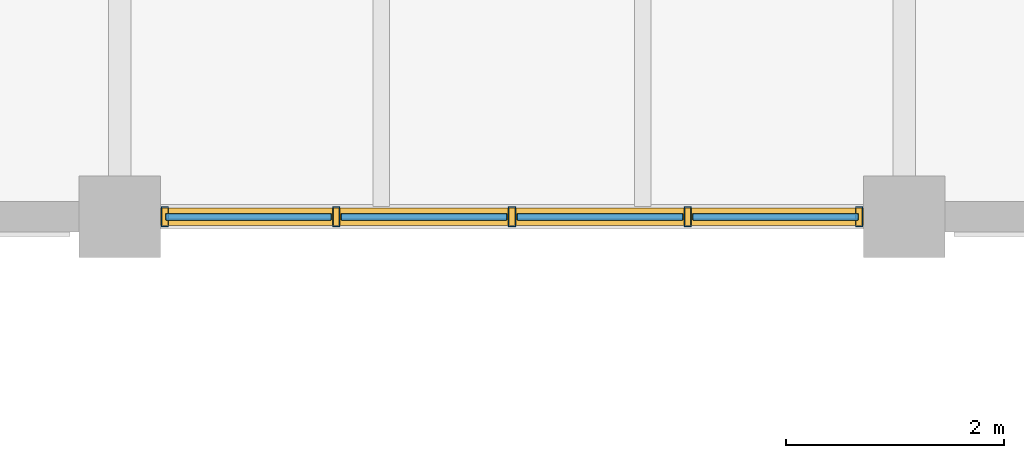
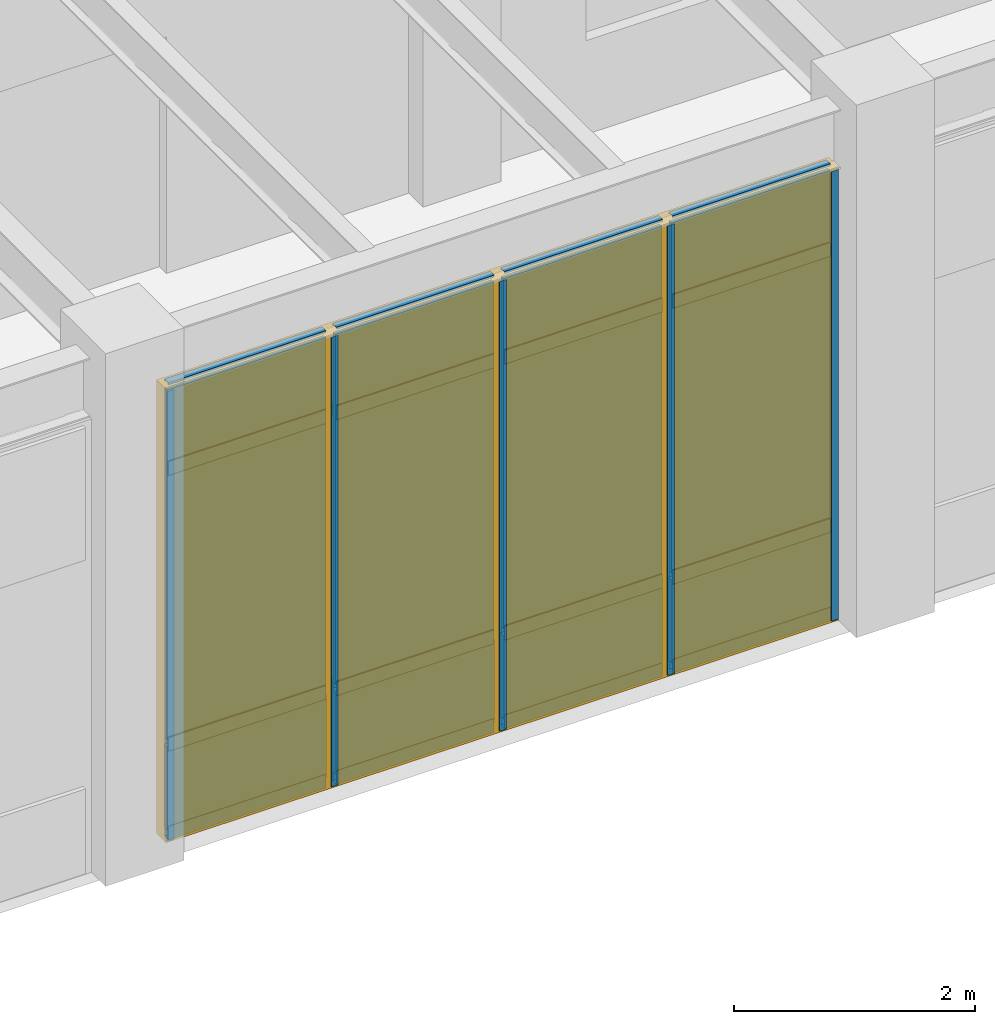
# One storey, part 73 of 97: 21 members, 8 plates, 1 curtain wall.
"""IFC4 building model written with IfcOpenShell, lengths in metres."""

from ifc_helpers import new_model, si_unit, direction, frame, origin, origin_2d, place, context, subcontext, project, spatial, rectangle, hollow_rectangle, extrude, material, layer, layer_set, material_profile, profile_set, type_object, element, aggregate, save


model = new_model("IFC4")

# Units and contexts
model_context = context("Model", 3, precision=1e-05, world=origin(), true_north=direction((0.0, 1.0)))
body_context = subcontext(model_context, "Body", "Model", "MODEL_VIEW")
ifc_project = project(units=[si_unit("LENGTHUNIT", "METRE"), si_unit("AREAUNIT", "SQUARE_METRE"), si_unit("VOLUMEUNIT", "CUBIC_METRE"), si_unit("PLANEANGLEUNIT", "RADIAN"), si_unit("MASSUNIT", "GRAM", prefix="KILO")], contexts=[model_context])

# Member
ifc_material_1 = material(Name="Anodized Aluminium 6063-T6", Category="aluminium")
ifc_material_profile_1 = material_profile(ifc_material_1, hollow_rectangle(XDim=0.06494140625, YDim=0.179931640625, WallThickness=0.00390625, at=origin_2d()), Name="ALU 65x180x4")
ifc_profile_set_1 = profile_set([ifc_material_profile_1], Name="Anodized Aluminium 6063-T6")
member_type_1 = type_object("IfcMemberType", Name="CWM-65X150", PredefinedType="MULLION", material=ifc_profile_set_1)
site_placement = place(None, origin())
building_placement = place(site_placement, origin())
storey_placement = place(building_placement, origin())
member_1_placement = place(storey_placement, frame((85.985107421875, 108.0, 0.02001953125), z_axis=(0.0, 0.0, 1.0), x_axis=(1.0, 0.0, 0.0)))
member_1 = element("IfcMember", 1, at=member_1_placement, type_object=member_type_1, Name="Curtain wall mullion CW-L01-11-15-S-00", PredefinedType="MULLION", context=body_context, shape_type="SweptSolid", body=[
    extrude(hollow_rectangle(XDim=0.06494140625, YDim=0.179931640625, WallThickness=0.00390625, at=origin_2d()), origin(), (0.0, 0.0, 1.0), 4.557861328125),
])

member_2_placement = place(storey_placement, frame((84.41259765625, 108.0, 0.02001953125), z_axis=(0.0, 0.0, 1.0), x_axis=(1.0, 0.0, 0.0)))
member_2 = element("IfcMember", 2, at=member_2_placement, type_object=member_type_1, Name="Curtain wall mullion CW-L01-11-15-S-01", PredefinedType="MULLION", context=body_context, shape_type="SweptSolid", body=[
    extrude(hollow_rectangle(XDim=0.06494140625, YDim=0.179931640625, WallThickness=0.00390625, at=origin_2d()), origin(), (0.0, 0.0, 1.0), 4.557861328125),
])

member_3_placement = place(storey_placement, frame((82.800048828125, 108.0, 0.02001953125), z_axis=(0.0, 0.0, 1.0), x_axis=(1.0, 0.0, 0.0)))
member_3 = element("IfcMember", 3, at=member_3_placement, type_object=member_type_1, Name="Curtain wall mullion CW-L01-11-15-S-02", PredefinedType="MULLION", context=body_context, shape_type="SweptSolid", body=[
    extrude(hollow_rectangle(XDim=0.06494140625, YDim=0.179931640625, WallThickness=0.00390625, at=origin_2d()), origin(), (0.0, 0.0, 1.0), 4.557861328125),
])

member_4_placement = place(storey_placement, frame((81.1875, 108.0, 0.02001953125), z_axis=(0.0, 0.0, 1.0), x_axis=(1.0, 0.0, 0.0)))
member_4 = element("IfcMember", 4, at=member_4_placement, type_object=member_type_1, Name="Curtain wall mullion CW-L01-11-15-S-03", PredefinedType="MULLION", context=body_context, shape_type="SweptSolid", body=[
    extrude(hollow_rectangle(XDim=0.06494140625, YDim=0.179931640625, WallThickness=0.00390625, at=origin_2d()), origin(), (0.0, 0.0, 1.0), 4.557861328125),
])

member_5_placement = place(storey_placement, frame((79.614990234375, 108.0, 0.02001953125), z_axis=(0.0, 0.0, 1.0), x_axis=(1.0, 0.0, 0.0)))
member_5 = element("IfcMember", 5, at=member_5_placement, type_object=member_type_1, Name="Curtain wall mullion CW-L01-11-15-S-04", PredefinedType="MULLION", context=body_context, shape_type="SweptSolid", body=[
    extrude(hollow_rectangle(XDim=0.06494140625, YDim=0.179931640625, WallThickness=0.00390625, at=origin_2d()), origin(), (0.0, 0.0, 1.0), 4.557861328125),
])

ifc_material_profile_2 = material_profile(ifc_material_1, hollow_rectangle(XDim=0.06494140625, YDim=0.139892578125, WallThickness=0.00390625, at=origin_2d()), Name="ALU 65x140x4")
ifc_profile_set_2 = profile_set([ifc_material_profile_2], Name="Anodized Aluminium 6063-T6")
member_type_2 = type_object("IfcMemberType", Name="CWT-65X120", PredefinedType="USERDEFINED", material=ifc_profile_set_2)
member_6_placement = place(storey_placement, frame((85.97509765625, 108.0, 0.050048828125), z_axis=(-1.0, 0.0, 0.0), x_axis=(0.0, -1.0, 0.0)))
member_6 = element("IfcMember", 6, at=member_6_placement, type_object=member_type_2, Name="Curtain wall transom CW-L01-11-15-S-1.01", ObjectType="TRANSOM", PredefinedType="USERDEFINED", context=body_context, shape_type="SweptSolid", body=[
    extrude(hollow_rectangle(XDim=0.06494140625, YDim=0.139892578125, WallThickness=0.00390625, at=origin_2d()), origin(), (0.0, 0.0, 1.0), 1.5126953125),
])

member_7_placement = place(storey_placement, frame((84.362548828125, 108.0, 0.050048828125), z_axis=(-1.0, 0.0, 0.0), x_axis=(0.0, -1.0, 0.0)))
member_7 = element("IfcMember", 7, at=member_7_placement, type_object=member_type_2, Name="Curtain wall transom CW-L01-11-15-S-1.02", ObjectType="TRANSOM", PredefinedType="USERDEFINED", context=body_context, shape_type="SweptSolid", body=[
    extrude(hollow_rectangle(XDim=0.06494140625, YDim=0.139892578125, WallThickness=0.00390625, at=origin_2d()), origin(), (0.0, 0.0, 1.0), 1.512451171875),
])

member_8_placement = place(storey_placement, frame((82.75, 108.0, 0.050048828125), z_axis=(-1.0, 0.0, 0.0), x_axis=(0.0, -1.0, 0.0)))
member_8 = element("IfcMember", 8, at=member_8_placement, type_object=member_type_2, Name="Curtain wall transom CW-L01-11-15-S-1.03", ObjectType="TRANSOM", PredefinedType="USERDEFINED", context=body_context, shape_type="SweptSolid", body=[
    extrude(hollow_rectangle(XDim=0.06494140625, YDim=0.139892578125, WallThickness=0.00390625, at=origin_2d()), origin(), (0.0, 0.0, 1.0), 1.512451171875),
])

member_9_placement = place(storey_placement, frame((81.137451171875, 108.0, 0.050048828125), z_axis=(-1.0, 0.0, 0.0), x_axis=(0.0, -1.0, 0.0)))
member_9 = element("IfcMember", 9, at=member_9_placement, type_object=member_type_2, Name="Curtain wall transom CW-L01-11-15-S-1.04", ObjectType="TRANSOM", PredefinedType="USERDEFINED", context=body_context, shape_type="SweptSolid", body=[
    extrude(hollow_rectangle(XDim=0.06494140625, YDim=0.139892578125, WallThickness=0.00390625, at=origin_2d()), origin(), (0.0, 0.0, 1.0), 1.512451171875),
])

member_10_placement = place(storey_placement, frame((85.97509765625, 108.0, 0.949951171875), z_axis=(-1.0, 0.0, 0.0), x_axis=(0.0, -1.0, 0.0)))
member_10 = element("IfcMember", 10, at=member_10_placement, type_object=member_type_2, Name="Curtain wall transom CW-L01-11-15-S-2.01", ObjectType="TRANSOM", PredefinedType="USERDEFINED", context=body_context, shape_type="SweptSolid", body=[
    extrude(hollow_rectangle(XDim=0.06494140625, YDim=0.139892578125, WallThickness=0.00390625, at=origin_2d()), origin(), (0.0, 0.0, 1.0), 1.5126953125),
])

member_11_placement = place(storey_placement, frame((84.362548828125, 108.0, 0.949951171875), z_axis=(-1.0, 0.0, 0.0), x_axis=(0.0, -1.0, 0.0)))
member_11 = element("IfcMember", 11, at=member_11_placement, type_object=member_type_2, Name="Curtain wall transom CW-L01-11-15-S-2.02", ObjectType="TRANSOM", PredefinedType="USERDEFINED", context=body_context, shape_type="SweptSolid", body=[
    extrude(hollow_rectangle(XDim=0.06494140625, YDim=0.139892578125, WallThickness=0.00390625, at=origin_2d()), origin(), (0.0, 0.0, 1.0), 1.512451171875),
])

member_12_placement = place(storey_placement, frame((82.75, 108.0, 0.949951171875), z_axis=(-1.0, 0.0, 0.0), x_axis=(0.0, -1.0, 0.0)))
member_12 = element("IfcMember", 12, at=member_12_placement, type_object=member_type_2, Name="Curtain wall transom CW-L01-11-15-S-2.03", ObjectType="TRANSOM", PredefinedType="USERDEFINED", context=body_context, shape_type="SweptSolid", body=[
    extrude(hollow_rectangle(XDim=0.06494140625, YDim=0.139892578125, WallThickness=0.00390625, at=origin_2d()), origin(), (0.0, 0.0, 1.0), 1.512451171875),
])

member_13_placement = place(storey_placement, frame((81.137451171875, 108.0, 0.949951171875), z_axis=(-1.0, 0.0, 0.0), x_axis=(0.0, -1.0, 0.0)))
member_13 = element("IfcMember", 13, at=member_13_placement, type_object=member_type_2, Name="Curtain wall transom CW-L01-11-15-S-2.04", ObjectType="TRANSOM", PredefinedType="USERDEFINED", context=body_context, shape_type="SweptSolid", body=[
    extrude(hollow_rectangle(XDim=0.06494140625, YDim=0.139892578125, WallThickness=0.00390625, at=origin_2d()), origin(), (0.0, 0.0, 1.0), 1.512451171875),
])

member_14_placement = place(storey_placement, frame((85.97509765625, 108.0, 3.748046875), z_axis=(-1.0, 0.0, 0.0), x_axis=(0.0, -1.0, 0.0)))
member_14 = element("IfcMember", 14, at=member_14_placement, type_object=member_type_2, Name="Curtain wall transom CW-L01-11-15-S-3.01", ObjectType="TRANSOM", PredefinedType="USERDEFINED", context=body_context, shape_type="SweptSolid", body=[
    extrude(hollow_rectangle(XDim=0.06494140625, YDim=0.139892578125, WallThickness=0.00390625, at=origin_2d()), origin(), (0.0, 0.0, 1.0), 1.5126953125),
])

member_15_placement = place(storey_placement, frame((84.362548828125, 108.0, 3.748046875), z_axis=(-1.0, 0.0, 0.0), x_axis=(0.0, -1.0, 0.0)))
member_15 = element("IfcMember", 15, at=member_15_placement, type_object=member_type_2, Name="Curtain wall transom CW-L01-11-15-S-3.02", ObjectType="TRANSOM", PredefinedType="USERDEFINED", context=body_context, shape_type="SweptSolid", body=[
    extrude(hollow_rectangle(XDim=0.06494140625, YDim=0.139892578125, WallThickness=0.00390625, at=origin_2d()), origin(), (0.0, 0.0, 1.0), 1.512451171875),
])

member_16_placement = place(storey_placement, frame((82.75, 108.0, 3.748046875), z_axis=(-1.0, 0.0, 0.0), x_axis=(0.0, -1.0, 0.0)))
member_16 = element("IfcMember", 16, at=member_16_placement, type_object=member_type_2, Name="Curtain wall transom CW-L01-11-15-S-3.03", ObjectType="TRANSOM", PredefinedType="USERDEFINED", context=body_context, shape_type="SweptSolid", body=[
    extrude(hollow_rectangle(XDim=0.06494140625, YDim=0.139892578125, WallThickness=0.00390625, at=origin_2d()), origin(), (0.0, 0.0, 1.0), 1.512451171875),
])

member_17_placement = place(storey_placement, frame((81.137451171875, 108.0, 3.748046875), z_axis=(-1.0, 0.0, 0.0), x_axis=(0.0, -1.0, 0.0)))
member_17 = element("IfcMember", 17, at=member_17_placement, type_object=member_type_2, Name="Curtain wall transom CW-L01-11-15-S-3.04", ObjectType="TRANSOM", PredefinedType="USERDEFINED", context=body_context, shape_type="SweptSolid", body=[
    extrude(hollow_rectangle(XDim=0.06494140625, YDim=0.139892578125, WallThickness=0.00390625, at=origin_2d()), origin(), (0.0, 0.0, 1.0), 1.512451171875),
])

member_18_placement = place(storey_placement, frame((85.97509765625, 108.0, 4.548095703125), z_axis=(-1.0, 0.0, 0.0), x_axis=(0.0, -1.0, 0.0)))
member_18 = element("IfcMember", 18, at=member_18_placement, type_object=member_type_2, Name="Curtain wall transom CW-L01-11-15-S-4.01", ObjectType="TRANSOM", PredefinedType="USERDEFINED", context=body_context, shape_type="SweptSolid", body=[
    extrude(hollow_rectangle(XDim=0.06494140625, YDim=0.139892578125, WallThickness=0.00390625, at=origin_2d()), origin(), (0.0, 0.0, 1.0), 1.5126953125),
])

member_19_placement = place(storey_placement, frame((84.362548828125, 108.0, 4.548095703125), z_axis=(-1.0, 0.0, 0.0), x_axis=(0.0, -1.0, 0.0)))
member_19 = element("IfcMember", 19, at=member_19_placement, type_object=member_type_2, Name="Curtain wall transom CW-L01-11-15-S-4.02", ObjectType="TRANSOM", PredefinedType="USERDEFINED", context=body_context, shape_type="SweptSolid", body=[
    extrude(hollow_rectangle(XDim=0.06494140625, YDim=0.139892578125, WallThickness=0.00390625, at=origin_2d()), origin(), (0.0, 0.0, 1.0), 1.512451171875),
])

member_20_placement = place(storey_placement, frame((82.75, 108.0, 4.548095703125), z_axis=(-1.0, 0.0, 0.0), x_axis=(0.0, -1.0, 0.0)))
member_20 = element("IfcMember", 20, at=member_20_placement, type_object=member_type_2, Name="Curtain wall transom CW-L01-11-15-S-4.03", ObjectType="TRANSOM", PredefinedType="USERDEFINED", context=body_context, shape_type="SweptSolid", body=[
    extrude(hollow_rectangle(XDim=0.06494140625, YDim=0.139892578125, WallThickness=0.00390625, at=origin_2d()), origin(), (0.0, 0.0, 1.0), 1.512451171875),
])

member_21_placement = place(storey_placement, frame((81.137451171875, 108.0, 4.548095703125), z_axis=(-1.0, 0.0, 0.0), x_axis=(0.0, -1.0, 0.0)))
member_21 = element("IfcMember", 21, at=member_21_placement, type_object=member_type_2, Name="Curtain wall transom CW-L01-11-15-S-4.04", ObjectType="TRANSOM", PredefinedType="USERDEFINED", context=body_context, shape_type="SweptSolid", body=[
    extrude(hollow_rectangle(XDim=0.06494140625, YDim=0.139892578125, WallThickness=0.00390625, at=origin_2d()), origin(), (0.0, 0.0, 1.0), 1.512451171875),
])

# Plate
ifc_material_2 = material(Name="Double Low-E Insulated Glazing Unit", Category="glass")
ifc_layer_1 = layer(ifc_material_2, 0.0380859375)
ifc_layer_set_1 = layer_set([ifc_layer_1], Name="Double Low-E Insulated Glazing Unit")
plate_type_1 = type_object("IfcPlateType", Name="CWP-IGU-38", PredefinedType="CURTAIN_PANEL", material=ifc_layer_set_1)
plate_1_placement = place(storey_placement, frame((85.21875, 108.0, 0.98974609375), z_axis=(0.0, 0.0, 1.0), x_axis=(-1.0, 0.0, 0.0)))
plate_1 = element("IfcPlate", 22, at=plate_1_placement, type_object=plate_type_1, Name="Curtain wall vision glazing CW-L01-11-15-S-01", PredefinedType="CURTAIN_PANEL", context=body_context, shape_type="SweptSolid", body=[
    extrude(rectangle(XDim=1.5224609375, YDim=0.0400390625, at=origin_2d()), origin(), (0.0, 0.0, 1.0), 3.548095703125),
])

plate_2_placement = place(storey_placement, frame((83.606201171875, 108.0, 0.98974609375), z_axis=(0.0, 0.0, 1.0), x_axis=(-1.0, 0.0, 0.0)))
plate_2 = element("IfcPlate", 23, at=plate_2_placement, type_object=plate_type_1, Name="Curtain wall vision glazing CW-L01-11-15-S-02", PredefinedType="CURTAIN_PANEL", context=body_context, shape_type="SweptSolid", body=[
    extrude(rectangle(XDim=1.5224609375, YDim=0.0400390625, at=origin_2d()), origin(), (0.0, 0.0, 1.0), 3.548095703125),
])

plate_3_placement = place(storey_placement, frame((81.993896484375, 108.0, 0.98974609375), z_axis=(0.0, 0.0, 1.0), x_axis=(-1.0, 0.0, 0.0)))
plate_3 = element("IfcPlate", 24, at=plate_3_placement, type_object=plate_type_1, Name="Curtain wall vision glazing CW-L01-11-15-S-03", PredefinedType="CURTAIN_PANEL", context=body_context, shape_type="SweptSolid", body=[
    extrude(rectangle(XDim=1.5224609375, YDim=0.0400390625, at=origin_2d()), origin(), (0.0, 0.0, 1.0), 3.548095703125),
])

plate_4_placement = place(storey_placement, frame((80.38134765625, 108.0, 0.98974609375), z_axis=(0.0, 0.0, 1.0), x_axis=(-1.0, 0.0, 0.0)))
plate_4 = element("IfcPlate", 25, at=plate_4_placement, type_object=plate_type_1, Name="Curtain wall vision glazing CW-L01-11-15-S-04", PredefinedType="CURTAIN_PANEL", context=body_context, shape_type="SweptSolid", body=[
    extrude(rectangle(XDim=1.5224609375, YDim=0.0400390625, at=origin_2d()), origin(), (0.0, 0.0, 1.0), 3.548095703125),
])

ifc_material_3 = material(Name="Insulated Bronze Aluminium Spandrel", Category="aluminium")
ifc_layer_2 = layer(ifc_material_3, 0.06005859375)
ifc_layer_set_2 = layer_set([ifc_layer_2], Name="Insulated Bronze Aluminium Spandrel")
plate_type_2 = type_object("IfcPlateType", Name="CWP-SPN-60", PredefinedType="CURTAIN_PANEL", material=ifc_layer_set_2)
plate_5_placement = place(storey_placement, frame((85.21875, 108.0, 0.080078125), z_axis=(0.0, 0.0, 1.0), x_axis=(-1.0, 0.0, 0.0)))
plate_5 = element("IfcPlate", 26, at=plate_5_placement, type_object=plate_type_2, Name="Curtain wall spandrel panel CW-L01-11-15-S-01", PredefinedType="CURTAIN_PANEL", context=body_context, shape_type="SweptSolid", body=[
    extrude(rectangle(XDim=1.5224609375, YDim=0.06005859375, at=origin_2d()), origin(), (0.0, 0.0, 1.0), 0.840087890625),
])

plate_6_placement = place(storey_placement, frame((83.606201171875, 108.0, 0.080078125), z_axis=(0.0, 0.0, 1.0), x_axis=(-1.0, 0.0, 0.0)))
plate_6 = element("IfcPlate", 27, at=plate_6_placement, type_object=plate_type_2, Name="Curtain wall spandrel panel CW-L01-11-15-S-02", PredefinedType="CURTAIN_PANEL", context=body_context, shape_type="SweptSolid", body=[
    extrude(rectangle(XDim=1.5224609375, YDim=0.06005859375, at=origin_2d()), origin(), (0.0, 0.0, 1.0), 0.840087890625),
])

plate_7_placement = place(storey_placement, frame((81.993896484375, 108.0, 0.080078125), z_axis=(0.0, 0.0, 1.0), x_axis=(-1.0, 0.0, 0.0)))
plate_7 = element("IfcPlate", 28, at=plate_7_placement, type_object=plate_type_2, Name="Curtain wall spandrel panel CW-L01-11-15-S-03", PredefinedType="CURTAIN_PANEL", context=body_context, shape_type="SweptSolid", body=[
    extrude(rectangle(XDim=1.5224609375, YDim=0.06005859375, at=origin_2d()), origin(), (0.0, 0.0, 1.0), 0.840087890625),
])

plate_8_placement = place(storey_placement, frame((80.38134765625, 108.0, 0.080078125), z_axis=(0.0, 0.0, 1.0), x_axis=(-1.0, 0.0, 0.0)))
plate_8 = element("IfcPlate", 29, at=plate_8_placement, type_object=plate_type_2, Name="Curtain wall spandrel panel CW-L01-11-15-S-04", PredefinedType="CURTAIN_PANEL", context=body_context, shape_type="SweptSolid", body=[
    extrude(rectangle(XDim=1.5224609375, YDim=0.06005859375, at=origin_2d()), origin(), (0.0, 0.0, 1.0), 0.840087890625),
])

# Site, building, storey
site = spatial("IfcSite", under=ifc_project, at=site_placement, CompositionType="ELEMENT")
building = spatial("IfcBuilding", under=site, at=building_placement, Name="Sillqori Civic Hall", CompositionType="ELEMENT")
storey = spatial("IfcBuildingStorey", under=building, at=storey_placement, Name="L01", CompositionType="ELEMENT", Elevation=0.0)

# Curtain wall
ifc_material_4 = material(Name="Anodized Aluminium Curtain Wall System", Category="aluminium")
curtain_wall_type = type_object("IfcCurtainWallType", Name="CW-SF-540", PredefinedType="NOTDEFINED", material=ifc_material_4)
curtain_wall_placement = place(storey_placement, frame((82.800048828125, 108.0, 0.0), z_axis=(0.0, 0.0, 1.0), x_axis=(-1.0, 0.0, 0.0)))
curtain_wall = element("IfcCurtainWall", 30, at=curtain_wall_placement, inside=storey, type_object=curtain_wall_type, Name="L01 unitised curtain wall CW-L01-11-15-S", PredefinedType="NOTDEFINED", context=body_context, shape_type="SweptSolid", body=[
    extrude(rectangle(XDim=6.449951171875, YDim=0.159912109375, at=origin_2d()), origin(), (0.0, 0.0, 1.0), 4.597900390625),
])

aggregate(curtain_wall, [member_1, member_2, member_3, member_4, member_5, member_6, member_7, member_8, member_9, member_10, member_11, member_12, member_13, member_14, member_15, member_16, member_17, member_18, member_19, member_20, member_21, plate_5, plate_1, plate_6, plate_2, plate_7, plate_3, plate_8, plate_4])

save(model, "model.ifc")
